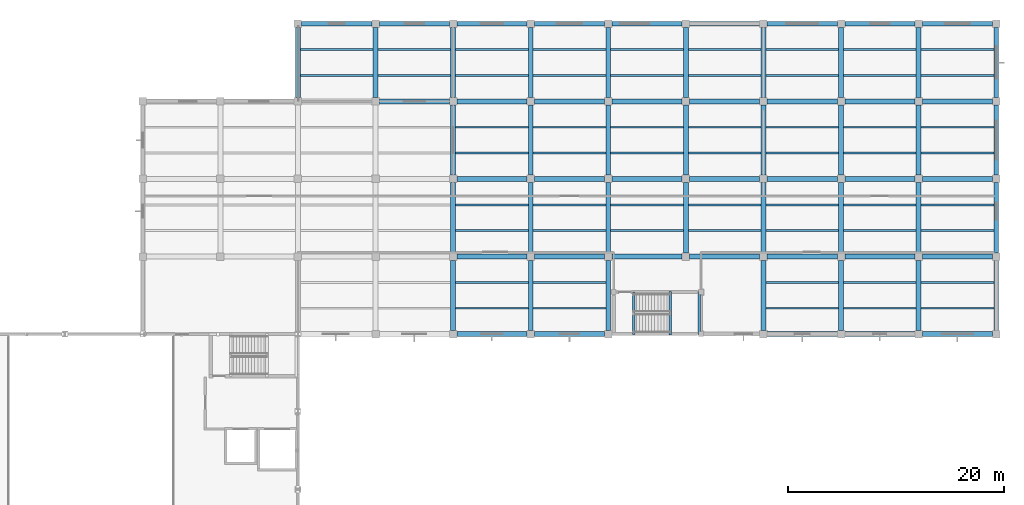
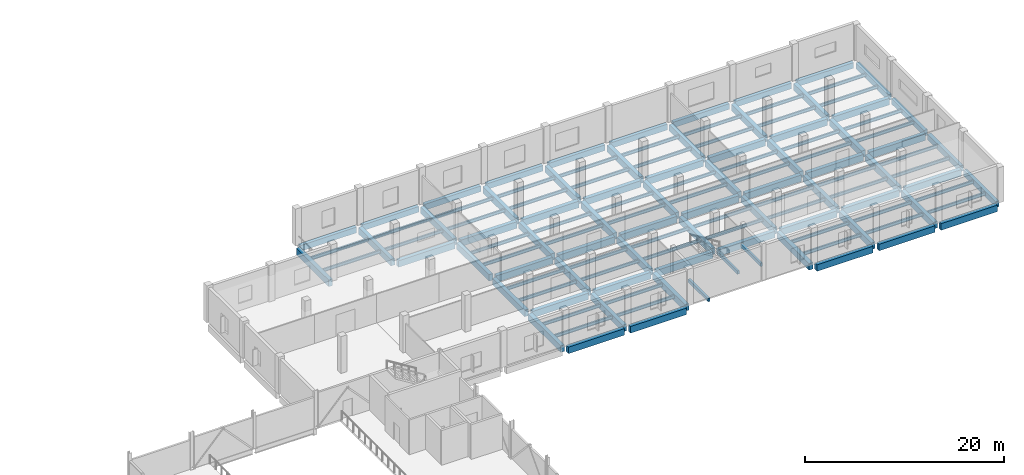
# One storey, part 46 of 108: 128 beams.
"""IFC4 building model written with IfcOpenShell, lengths in metres."""

from ifc_helpers import new_model, si_unit, direction, frame, origin, origin_2d, place, context, subcontext, project, spatial, rectangle, i_section, extrude, material, material_profile, profile_set, type_object, element, save


model = new_model("IFC4")

# Units and contexts
model_context = context("Model", 3, precision=1e-05, world=origin(), true_north=direction((0.0, 1.0)))
body_context = subcontext(model_context, "Body", "Model", "MODEL_VIEW")
ifc_project = project(units=[si_unit("LENGTHUNIT", "METRE"), si_unit("AREAUNIT", "SQUARE_METRE"), si_unit("VOLUMEUNIT", "CUBIC_METRE"), si_unit("PLANEANGLEUNIT", "RADIAN"), si_unit("MASSUNIT", "GRAM", prefix="KILO"), si_unit("THERMODYNAMICTEMPERATUREUNIT", "KELVIN"), si_unit("POWERUNIT", "WATT")], contexts=[model_context])

# Site, building, storey
site_placement = place(None, origin())
site = spatial("IfcSite", under=ifc_project, at=site_placement, CompositionType="ELEMENT")
building_placement = place(site_placement, origin())
building = spatial("IfcBuilding", under=site, at=building_placement, Name="Kaldorven Railside Theatre", CompositionType="ELEMENT")
storey_placement = place(building_placement, frame((0.0, 0.0, 5.39990234375)))
storey = spatial("IfcBuildingStorey", under=building, at=storey_placement, Name="L01", CompositionType="ELEMENT", Elevation=5.39990234375)

# Beams
ifc_material_1 = material(Name="Steel S355", Category="steel")
ifc_material_profile_1 = material_profile(ifc_material_1, i_section(OverallWidth=0.179931640625, OverallDepth=0.39990234375, WebThickness=0.008544921875, FlangeThickness=0.013427734375, at=origin_2d()), Name="IPE 400")
ifc_profile_set_1 = profile_set([ifc_material_profile_1], Name="Steel S355")
beam_type_1 = type_object("IfcBeamType", Name="BM-IPE400", PredefinedType="JOIST", material=ifc_profile_set_1)
for number, where, z_axis, x_axis, name in (
    (1, (137.824951171875, 115.199951171875, -0.47998046875), (1.0, 0.0, 0.0), (0.0, 1.0, 0.0), "L01 Secondary Floor Joist JG-L01-137-1152"),
    (2, (137.824951171875, 117.60009765625, -0.47998046875), (1.0, 0.0, 0.0), (0.0, 1.0, 0.0), "L01 Secondary Floor Joist JG-L01-137-1176"),
    (3, (145.02490234375, 115.199951171875, -0.47998046875), (1.0, 0.0, 0.0), (0.0, 1.0, 0.0), "L01 Secondary Floor Joist JG-L01-144-1152"),
    (4, (145.02490234375, 117.60009765625, -0.47998046875), (1.0, 0.0, 0.0), (0.0, 1.0, 0.0), "L01 Secondary Floor Joist JG-L01-144-1176"),
    (5, (166.625, 115.199951171875, -0.47998046875), (1.0, 0.0, 0.0), (0.0, 1.0, 0.0), "L01 Secondary Floor Joist JG-L01-166-1152"),
    (6, (166.625, 117.60009765625, -0.47998046875), (1.0, 0.0, 0.0), (0.0, 1.0, 0.0), "L01 Secondary Floor Joist JG-L01-166-1176"),
    (7, (173.824951171875, 115.199951171875, -0.47998046875), (1.0, 0.0, 0.0), (0.0, 1.0, 0.0), "L01 Secondary Floor Joist JG-L01-173-1152"),
    (8, (173.824951171875, 117.60009765625, -0.47998046875), (1.0, 0.0, 0.0), (0.0, 1.0, 0.0), "L01 Secondary Floor Joist JG-L01-173-1176"),
):
    element("IfcBeam", number, at=place(storey_placement, frame(where, z_axis=z_axis, x_axis=x_axis)), inside=storey, type_object=beam_type_1, Name=name, PredefinedType="JOIST", context=body_context, shape_type="SweptSolid", body=[
        extrude(i_section(OverallWidth=0.179931640625, OverallDepth=0.39990234375, WebThickness=0.008544921875, FlangeThickness=0.013427734375, at=origin_2d()), origin(), (0.0, 0.0, 1.0), 6.75),
    ])
for number, where, z_axis, x_axis, name in (
    (9, (181.02490234375, 115.199951171875, -0.47998046875), (1.0, 0.0, 0.0), (0.0, 1.0, 0.0), "L01 Secondary Floor Joist JG-L01-180-1152"),
    (10, (181.02490234375, 117.60009765625, -0.47998046875), (1.0, 0.0, 0.0), (0.0, 1.0, 0.0), "L01 Secondary Floor Joist JG-L01-180-1176"),
):
    element("IfcBeam", number, at=place(storey_placement, frame(where, z_axis=z_axis, x_axis=x_axis)), inside=storey, type_object=beam_type_1, Name=name, PredefinedType="JOIST", context=body_context, shape_type="SweptSolid", body=[
        extrude(i_section(OverallWidth=0.179931640625, OverallDepth=0.39990234375, WebThickness=0.008544921875, FlangeThickness=0.013427734375, at=origin_2d()), origin(), (0.0, 0.0, 1.0), 6.775146484375),
    ])
for number, where, z_axis, x_axis, name in (
    (11, (137.824951171875, 122.39990234375, -0.47998046875), (1.0, 0.0, 0.0), (0.0, 1.0, 0.0), "L01 Secondary Floor Joist JG-L01-137-1224"),
    (12, (137.824951171875, 124.800048828125, -0.47998046875), (1.0, 0.0, 0.0), (0.0, 1.0, 0.0), "L01 Secondary Floor Joist JG-L01-137-1248"),
    (13, (145.02490234375, 122.39990234375, -0.47998046875), (1.0, 0.0, 0.0), (0.0, 1.0, 0.0), "L01 Secondary Floor Joist JG-L01-144-1224"),
    (14, (145.02490234375, 124.800048828125, -0.47998046875), (1.0, 0.0, 0.0), (0.0, 1.0, 0.0), "L01 Secondary Floor Joist JG-L01-144-1248"),
    (15, (152.22509765625, 122.39990234375, -0.47998046875), (1.0, 0.0, 0.0), (0.0, 1.0, 0.0), "L01 Secondary Floor Joist JG-L01-152-1224"),
    (16, (152.22509765625, 124.800048828125, -0.47998046875), (1.0, 0.0, 0.0), (0.0, 1.0, 0.0), "L01 Secondary Floor Joist JG-L01-152-1248"),
    (17, (159.425048828125, 122.39990234375, -0.47998046875), (1.0, 0.0, 0.0), (0.0, 1.0, 0.0), "L01 Secondary Floor Joist JG-L01-159-1224"),
    (18, (159.425048828125, 124.800048828125, -0.47998046875), (1.0, 0.0, 0.0), (0.0, 1.0, 0.0), "L01 Secondary Floor Joist JG-L01-159-1248"),
    (19, (166.625, 122.39990234375, -0.47998046875), (1.0, 0.0, 0.0), (0.0, 1.0, 0.0), "L01 Secondary Floor Joist JG-L01-166-1224"),
    (20, (166.625, 124.800048828125, -0.47998046875), (1.0, 0.0, 0.0), (0.0, 1.0, 0.0), "L01 Secondary Floor Joist JG-L01-166-1248"),
    (21, (173.824951171875, 122.39990234375, -0.47998046875), (1.0, 0.0, 0.0), (0.0, 1.0, 0.0), "L01 Secondary Floor Joist JG-L01-173-1224"),
    (22, (173.824951171875, 124.800048828125, -0.47998046875), (1.0, 0.0, 0.0), (0.0, 1.0, 0.0), "L01 Secondary Floor Joist JG-L01-173-1248"),
):
    element("IfcBeam", number, at=place(storey_placement, frame(where, z_axis=z_axis, x_axis=x_axis)), inside=storey, type_object=beam_type_1, Name=name, PredefinedType="JOIST", context=body_context, shape_type="SweptSolid", body=[
        extrude(i_section(OverallWidth=0.179931640625, OverallDepth=0.39990234375, WebThickness=0.008544921875, FlangeThickness=0.013427734375, at=origin_2d()), origin(), (0.0, 0.0, 1.0), 6.75),
    ])
for number, where, z_axis, x_axis, name in (
    (23, (181.02490234375, 122.39990234375, -0.47998046875), (1.0, 0.0, 0.0), (0.0, 1.0, 0.0), "L01 Secondary Floor Joist JG-L01-180-1224"),
    (24, (181.02490234375, 124.800048828125, -0.47998046875), (1.0, 0.0, 0.0), (0.0, 1.0, 0.0), "L01 Secondary Floor Joist JG-L01-180-1248"),
):
    element("IfcBeam", number, at=place(storey_placement, frame(where, z_axis=z_axis, x_axis=x_axis)), inside=storey, type_object=beam_type_1, Name=name, PredefinedType="JOIST", context=body_context, shape_type="SweptSolid", body=[
        extrude(i_section(OverallWidth=0.179931640625, OverallDepth=0.39990234375, WebThickness=0.008544921875, FlangeThickness=0.013427734375, at=origin_2d()), origin(), (0.0, 0.0, 1.0), 6.775146484375),
    ])
for number, where, z_axis, x_axis, name in (
    (25, (137.824951171875, 129.60009765625, -0.47998046875), (1.0, 0.0, 0.0), (0.0, 1.0, 0.0), "L01 Secondary Floor Joist JG-L01-137-1296"),
    (26, (137.824951171875, 132.0, -0.47998046875), (1.0, 0.0, 0.0), (0.0, 1.0, 0.0), "L01 Secondary Floor Joist JG-L01-137-1320"),
    (27, (145.02490234375, 129.60009765625, -0.47998046875), (1.0, 0.0, 0.0), (0.0, 1.0, 0.0), "L01 Secondary Floor Joist JG-L01-144-1296"),
    (28, (145.02490234375, 132.0, -0.47998046875), (1.0, 0.0, 0.0), (0.0, 1.0, 0.0), "L01 Secondary Floor Joist JG-L01-144-1320"),
    (29, (152.22509765625, 129.60009765625, -0.47998046875), (1.0, 0.0, 0.0), (0.0, 1.0, 0.0), "L01 Secondary Floor Joist JG-L01-152-1296"),
    (30, (152.22509765625, 132.0, -0.47998046875), (1.0, 0.0, 0.0), (0.0, 1.0, 0.0), "L01 Secondary Floor Joist JG-L01-152-1320"),
    (31, (159.425048828125, 129.60009765625, -0.47998046875), (1.0, 0.0, 0.0), (0.0, 1.0, 0.0), "L01 Secondary Floor Joist JG-L01-159-1296"),
    (32, (159.425048828125, 132.0, -0.47998046875), (1.0, 0.0, 0.0), (0.0, 1.0, 0.0), "L01 Secondary Floor Joist JG-L01-159-1320"),
    (33, (166.625, 129.60009765625, -0.47998046875), (1.0, 0.0, 0.0), (0.0, 1.0, 0.0), "L01 Secondary Floor Joist JG-L01-166-1296"),
    (34, (166.625, 132.0, -0.47998046875), (1.0, 0.0, 0.0), (0.0, 1.0, 0.0), "L01 Secondary Floor Joist JG-L01-166-1320"),
    (35, (173.824951171875, 129.60009765625, -0.47998046875), (1.0, 0.0, 0.0), (0.0, 1.0, 0.0), "L01 Secondary Floor Joist JG-L01-173-1296"),
    (36, (173.824951171875, 132.0, -0.47998046875), (1.0, 0.0, 0.0), (0.0, 1.0, 0.0), "L01 Secondary Floor Joist JG-L01-173-1320"),
):
    element("IfcBeam", number, at=place(storey_placement, frame(where, z_axis=z_axis, x_axis=x_axis)), inside=storey, type_object=beam_type_1, Name=name, PredefinedType="JOIST", context=body_context, shape_type="SweptSolid", body=[
        extrude(i_section(OverallWidth=0.179931640625, OverallDepth=0.39990234375, WebThickness=0.008544921875, FlangeThickness=0.013427734375, at=origin_2d()), origin(), (0.0, 0.0, 1.0), 6.75),
    ])
for number, where, z_axis, x_axis, name in (
    (37, (181.02490234375, 129.60009765625, -0.47998046875), (1.0, 0.0, 0.0), (0.0, 1.0, 0.0), "L01 Secondary Floor Joist JG-L01-180-1296"),
    (38, (181.02490234375, 132.0, -0.47998046875), (1.0, 0.0, 0.0), (0.0, 1.0, 0.0), "L01 Secondary Floor Joist JG-L01-180-1320"),
):
    element("IfcBeam", number, at=place(storey_placement, frame(where, z_axis=z_axis, x_axis=x_axis)), inside=storey, type_object=beam_type_1, Name=name, PredefinedType="JOIST", context=body_context, shape_type="SweptSolid", body=[
        extrude(i_section(OverallWidth=0.179931640625, OverallDepth=0.39990234375, WebThickness=0.008544921875, FlangeThickness=0.013427734375, at=origin_2d()), origin(), (0.0, 0.0, 1.0), 6.775146484375),
    ])
for number, where, z_axis, x_axis, name in (
    (39, (123.425048828125, 136.800048828125, -0.47998046875), (1.0, 0.0, 0.0), (0.0, 1.0, 0.0), "L01 Secondary Floor Joist JG-L01-123-1368"),
    (40, (123.425048828125, 139.199951171875, -0.47998046875), (1.0, 0.0, 0.0), (0.0, 1.0, 0.0), "L01 Secondary Floor Joist JG-L01-123-1392"),
    (41, (130.625, 136.800048828125, -0.47998046875), (1.0, 0.0, 0.0), (0.0, 1.0, 0.0), "L01 Secondary Floor Joist JG-L01-130-1368"),
    (42, (130.625, 139.199951171875, -0.47998046875), (1.0, 0.0, 0.0), (0.0, 1.0, 0.0), "L01 Secondary Floor Joist JG-L01-130-1392"),
    (43, (137.824951171875, 136.800048828125, -0.47998046875), (1.0, 0.0, 0.0), (0.0, 1.0, 0.0), "L01 Secondary Floor Joist JG-L01-137-1368"),
    (44, (137.824951171875, 139.199951171875, -0.47998046875), (1.0, 0.0, 0.0), (0.0, 1.0, 0.0), "L01 Secondary Floor Joist JG-L01-137-1392"),
    (45, (145.02490234375, 136.800048828125, -0.47998046875), (1.0, 0.0, 0.0), (0.0, 1.0, 0.0), "L01 Secondary Floor Joist JG-L01-144-1368"),
    (46, (145.02490234375, 139.199951171875, -0.47998046875), (1.0, 0.0, 0.0), (0.0, 1.0, 0.0), "L01 Secondary Floor Joist JG-L01-144-1392"),
    (47, (152.22509765625, 136.800048828125, -0.47998046875), (1.0, 0.0, 0.0), (0.0, 1.0, 0.0), "L01 Secondary Floor Joist JG-L01-152-1368"),
    (48, (152.22509765625, 139.199951171875, -0.47998046875), (1.0, 0.0, 0.0), (0.0, 1.0, 0.0), "L01 Secondary Floor Joist JG-L01-152-1392"),
    (49, (159.425048828125, 136.800048828125, -0.47998046875), (1.0, 0.0, 0.0), (0.0, 1.0, 0.0), "L01 Secondary Floor Joist JG-L01-159-1368"),
    (50, (159.425048828125, 139.199951171875, -0.47998046875), (1.0, 0.0, 0.0), (0.0, 1.0, 0.0), "L01 Secondary Floor Joist JG-L01-159-1392"),
    (51, (166.625, 136.800048828125, -0.47998046875), (1.0, 0.0, 0.0), (0.0, 1.0, 0.0), "L01 Secondary Floor Joist JG-L01-166-1368"),
    (52, (166.625, 139.199951171875, -0.47998046875), (1.0, 0.0, 0.0), (0.0, 1.0, 0.0), "L01 Secondary Floor Joist JG-L01-166-1392"),
    (53, (173.824951171875, 136.800048828125, -0.47998046875), (1.0, 0.0, 0.0), (0.0, 1.0, 0.0), "L01 Secondary Floor Joist JG-L01-173-1368"),
    (54, (173.824951171875, 139.199951171875, -0.47998046875), (1.0, 0.0, 0.0), (0.0, 1.0, 0.0), "L01 Secondary Floor Joist JG-L01-173-1392"),
):
    element("IfcBeam", number, at=place(storey_placement, frame(where, z_axis=z_axis, x_axis=x_axis)), inside=storey, type_object=beam_type_1, Name=name, PredefinedType="JOIST", context=body_context, shape_type="SweptSolid", body=[
        extrude(i_section(OverallWidth=0.179931640625, OverallDepth=0.39990234375, WebThickness=0.008544921875, FlangeThickness=0.013427734375, at=origin_2d()), origin(), (0.0, 0.0, 1.0), 6.75),
    ])
for number, where, z_axis, x_axis, name in (
    (55, (181.02490234375, 136.800048828125, -0.47998046875), (1.0, 0.0, 0.0), (0.0, 1.0, 0.0), "L01 Secondary Floor Joist JG-L01-180-1368"),
    (56, (181.02490234375, 139.199951171875, -0.47998046875), (1.0, 0.0, 0.0), (0.0, 1.0, 0.0), "L01 Secondary Floor Joist JG-L01-180-1392"),
):
    element("IfcBeam", number, at=place(storey_placement, frame(where, z_axis=z_axis, x_axis=x_axis)), inside=storey, type_object=beam_type_1, Name=name, PredefinedType="JOIST", context=body_context, shape_type="SweptSolid", body=[
        extrude(i_section(OverallWidth=0.179931640625, OverallDepth=0.39990234375, WebThickness=0.008544921875, FlangeThickness=0.013427734375, at=origin_2d()), origin(), (0.0, 0.0, 1.0), 6.775146484375),
    ])
ifc_material_2 = material(Name="Concrete C40/50", Category="concrete")
ifc_material_profile_2 = material_profile(ifc_material_2, rectangle(XDim=0.25, YDim=0.39990234375, at=origin_2d()), Name="RC 250x400")
ifc_profile_set_2 = profile_set([ifc_material_profile_2], Name="Concrete C40/50")
beam_type_2 = type_object("IfcBeamType", Name="BM-RC250x400", PredefinedType="LINTEL", material=ifc_profile_set_2)
beam_placement = place(storey_placement, frame((154.35009765625, 112.77001953125, -0.344970703125), z_axis=(0.0, 1.0, 0.0), x_axis=(-1.0, 0.0, 0.0)))
element("IfcBeam", 57, at=beam_placement, inside=storey, type_object=beam_type_2, Name="Stair ST-08 L01 Landing Trimmer Beam", PredefinedType="LINTEL", context=body_context, shape_type="SweptSolid", body=[
    extrude(rectangle(XDim=0.25, YDim=0.39990234375, at=origin_2d()), origin(), (0.0, 0.0, 1.0), 3.9599609375),
])
for number, where, z_axis, x_axis, name in (
    (58, (157.735107421875, 112.739990234375, 1.85009765625), (0.0, 1.0, 0.0), (-1.0, 0.0, 0.0), "Stair ST-08 L01 Half-Landing Bearer"),
    (59, (160.429931640625, 112.739990234375, 1.85009765625), (0.0, 1.0, 0.0), (-1.0, 0.0, 0.0), "Stair ST-08 L01 Half-Landing Bearer"),
):
    element("IfcBeam", number, at=place(storey_placement, frame(where, z_axis=z_axis, x_axis=x_axis)), inside=storey, type_object=beam_type_2, Name=name, PredefinedType="LINTEL", context=body_context, shape_type="SweptSolid", body=[
        extrude(rectangle(XDim=0.25, YDim=0.39990234375, at=origin_2d()), origin(), (0.0, 0.0, 1.0), 4.02001953125),
    ])
ifc_material_profile_3 = material_profile(ifc_material_2, rectangle(XDim=0.39990234375, YDim=0.699951171875, at=origin_2d()), Name="RC 400x700")
ifc_profile_set_3 = profile_set([ifc_material_profile_3], Name="Concrete C40/50")
beam_type_3 = type_object("IfcBeamType", Name="BM-RC400x700", PredefinedType="BEAM", material=ifc_profile_set_3)
for number, where, z_axis, x_axis, name in (
    (60, (188.0, 113.14990234375, -0.6298828125), (0.0, 1.0, 0.0), (-1.0, 0.0, 0.0), "L01 Girder BGY-L01-188-112-72"),
    (61, (188.0, 120.35009765625, -0.6298828125), (0.0, 1.0, 0.0), (-1.0, 0.0, 0.0), "L01 Girder BGY-L01-188-120-72"),
    (62, (188.0, 127.550048828125, -0.6298828125), (0.0, 1.0, 0.0), (-1.0, 0.0, 0.0), "L01 Girder BGY-L01-188-127-72"),
    (63, (188.0, 134.75, -0.6298828125), (0.0, 1.0, 0.0), (-1.0, 0.0, 0.0), "L01 Girder BGY-L01-188-134-72"),
    (64, (123.550048828125, 141.60009765625, -0.6298828125), (1.0, 0.0, 0.0), (0.0, 1.0, 0.0), "L01 Girder BGX-L01-123-141"),
    (65, (130.75, 141.60009765625, -0.6298828125), (1.0, 0.0, 0.0), (0.0, 1.0, 0.0), "L01 Girder BGX-L01-130-141"),
    (66, (137.949951171875, 141.60009765625, -0.6298828125), (1.0, 0.0, 0.0), (0.0, 1.0, 0.0), "L01 Girder BGX-L01-137-141"),
    (67, (145.14990234375, 141.60009765625, -0.6298828125), (1.0, 0.0, 0.0), (0.0, 1.0, 0.0), "L01 Girder BGX-L01-144-141"),
    (68, (152.35009765625, 141.60009765625, -0.6298828125), (1.0, 0.0, 0.0), (0.0, 1.0, 0.0), "L01 Girder BGX-L01-152-141"),
    (69, (159.550048828125, 141.60009765625, -0.6298828125), (1.0, 0.0, 0.0), (0.0, 1.0, 0.0), "L01 Girder BGX-L01-159-141"),
    (70, (166.75, 141.60009765625, -0.6298828125), (1.0, 0.0, 0.0), (0.0, 1.0, 0.0), "L01 Girder BGX-L01-166-141"),
    (71, (173.949951171875, 141.60009765625, -0.6298828125), (1.0, 0.0, 0.0), (0.0, 1.0, 0.0), "L01 Girder BGX-L01-173-141"),
    (72, (181.14990234375, 141.60009765625, -0.6298828125), (1.0, 0.0, 0.0), (0.0, 1.0, 0.0), "L01 Girder BGX-L01-180-141"),
):
    element("IfcBeam", number, at=place(storey_placement, frame(where, z_axis=z_axis, x_axis=x_axis)), inside=storey, type_object=beam_type_3, Name=name, PredefinedType="BEAM", context=body_context, shape_type="SweptSolid", body=[
        extrude(rectangle(XDim=0.39990234375, YDim=0.699951171875, at=origin_2d()), origin(), (0.0, 0.0, 1.0), 6.5),
    ])
ifc_material_profile_4 = material_profile(ifc_material_2, rectangle(XDim=0.449951171875, YDim=0.800048828125, at=origin_2d()), Name="RC 450x800")
ifc_profile_set_4 = profile_set([ifc_material_profile_4], Name="Concrete C40/50")
beam_type_4 = type_object("IfcBeamType", Name="BM-RC450x800", PredefinedType="BEAM", material=ifc_profile_set_4)
for number, where, z_axis, x_axis, name in (
    (73, (137.949951171875, 112.800048828125, -0.679931640625), (1.0, 0.0, 0.0), (0.0, 1.0, 0.0), "L01 Girder BGX-L01-137-112"),
    (74, (137.60009765625, 113.14990234375, -0.679931640625), (0.0, 1.0, 0.0), (-1.0, 0.0, 0.0), "L01 Girder BGY-L01-137-112-72"),
    (75, (145.14990234375, 112.800048828125, -0.679931640625), (1.0, 0.0, 0.0), (0.0, 1.0, 0.0), "L01 Girder BGX-L01-144-112"),
    (76, (144.800048828125, 113.14990234375, -0.679931640625), (0.0, 1.0, 0.0), (-1.0, 0.0, 0.0), "L01 Girder BGY-L01-144-112-72"),
    (77, (152.0, 113.14990234375, -0.679931640625), (0.0, 1.0, 0.0), (-1.0, 0.0, 0.0), "L01 Girder BGY-L01-152-112-72"),
    (78, (166.75, 112.800048828125, -0.679931640625), (1.0, 0.0, 0.0), (0.0, 1.0, 0.0), "L01 Girder BGX-L01-166-112"),
    (79, (166.39990234375, 113.14990234375, -0.679931640625), (0.0, 1.0, 0.0), (-1.0, 0.0, 0.0), "L01 Girder BGY-L01-166-112-72"),
    (80, (173.949951171875, 112.800048828125, -0.679931640625), (1.0, 0.0, 0.0), (0.0, 1.0, 0.0), "L01 Girder BGX-L01-173-112"),
    (81, (173.60009765625, 113.14990234375, -0.679931640625), (0.0, 1.0, 0.0), (-1.0, 0.0, 0.0), "L01 Girder BGY-L01-173-112-72"),
    (82, (181.14990234375, 112.800048828125, -0.679931640625), (1.0, 0.0, 0.0), (0.0, 1.0, 0.0), "L01 Girder BGX-L01-180-112"),
    (83, (180.800048828125, 113.14990234375, -0.679931640625), (0.0, 1.0, 0.0), (-1.0, 0.0, 0.0), "L01 Girder BGY-L01-180-112-72"),
    (84, (137.949951171875, 120.0, -0.679931640625), (1.0, 0.0, 0.0), (0.0, 1.0, 0.0), "L01 Girder BGX-L01-137-120"),
    (85, (137.60009765625, 120.35009765625, -0.679931640625), (0.0, 1.0, 0.0), (-1.0, 0.0, 0.0), "L01 Girder BGY-L01-137-120-72"),
    (86, (145.14990234375, 120.0, -0.679931640625), (1.0, 0.0, 0.0), (0.0, 1.0, 0.0), "L01 Girder BGX-L01-144-120"),
    (87, (144.800048828125, 120.35009765625, -0.679931640625), (0.0, 1.0, 0.0), (-1.0, 0.0, 0.0), "L01 Girder BGY-L01-144-120-72"),
    (88, (152.35009765625, 120.0, -0.679931640625), (1.0, 0.0, 0.0), (0.0, 1.0, 0.0), "L01 Girder BGX-L01-152-120"),
    (89, (152.0, 120.35009765625, -0.679931640625), (0.0, 1.0, 0.0), (-1.0, 0.0, 0.0), "L01 Girder BGY-L01-152-120-72"),
    (90, (159.550048828125, 120.0, -0.679931640625), (1.0, 0.0, 0.0), (0.0, 1.0, 0.0), "L01 Girder BGX-L01-159-120"),
    (91, (159.199951171875, 120.35009765625, -0.679931640625), (0.0, 1.0, 0.0), (-1.0, 0.0, 0.0), "L01 Girder BGY-L01-159-120-72"),
    (92, (166.75, 120.0, -0.679931640625), (1.0, 0.0, 0.0), (0.0, 1.0, 0.0), "L01 Girder BGX-L01-166-120"),
    (93, (166.39990234375, 120.35009765625, -0.679931640625), (0.0, 1.0, 0.0), (-1.0, 0.0, 0.0), "L01 Girder BGY-L01-166-120-72"),
    (94, (173.949951171875, 120.0, -0.679931640625), (1.0, 0.0, 0.0), (0.0, 1.0, 0.0), "L01 Girder BGX-L01-173-120"),
    (95, (173.60009765625, 120.35009765625, -0.679931640625), (0.0, 1.0, 0.0), (-1.0, 0.0, 0.0), "L01 Girder BGY-L01-173-120-72"),
    (96, (181.14990234375, 120.0, -0.679931640625), (1.0, 0.0, 0.0), (0.0, 1.0, 0.0), "L01 Girder BGX-L01-180-120"),
    (97, (180.800048828125, 120.35009765625, -0.679931640625), (0.0, 1.0, 0.0), (-1.0, 0.0, 0.0), "L01 Girder BGY-L01-180-120-72"),
    (98, (137.949951171875, 127.199951171875, -0.679931640625), (1.0, 0.0, 0.0), (0.0, 1.0, 0.0), "L01 Girder BGX-L01-137-127"),
    (99, (137.60009765625, 127.550048828125, -0.679931640625), (0.0, 1.0, 0.0), (-1.0, 0.0, 0.0), "L01 Girder BGY-L01-137-127-72"),
    (100, (145.14990234375, 127.199951171875, -0.679931640625), (1.0, 0.0, 0.0), (0.0, 1.0, 0.0), "L01 Girder BGX-L01-144-127"),
    (101, (144.800048828125, 127.550048828125, -0.679931640625), (0.0, 1.0, 0.0), (-1.0, 0.0, 0.0), "L01 Girder BGY-L01-144-127-72"),
    (102, (152.35009765625, 127.199951171875, -0.679931640625), (1.0, 0.0, 0.0), (0.0, 1.0, 0.0), "L01 Girder BGX-L01-152-127"),
    (103, (152.0, 127.550048828125, -0.679931640625), (0.0, 1.0, 0.0), (-1.0, 0.0, 0.0), "L01 Girder BGY-L01-152-127-72"),
    (104, (159.550048828125, 127.199951171875, -0.679931640625), (1.0, 0.0, 0.0), (0.0, 1.0, 0.0), "L01 Girder BGX-L01-159-127"),
    (105, (159.199951171875, 127.550048828125, -0.679931640625), (0.0, 1.0, 0.0), (-1.0, 0.0, 0.0), "L01 Girder BGY-L01-159-127-72"),
    (106, (166.75, 127.199951171875, -0.679931640625), (1.0, 0.0, 0.0), (0.0, 1.0, 0.0), "L01 Girder BGX-L01-166-127"),
    (107, (166.39990234375, 127.550048828125, -0.679931640625), (0.0, 1.0, 0.0), (-1.0, 0.0, 0.0), "L01 Girder BGY-L01-166-127-72"),
    (108, (173.949951171875, 127.199951171875, -0.679931640625), (1.0, 0.0, 0.0), (0.0, 1.0, 0.0), "L01 Girder BGX-L01-173-127"),
    (109, (173.60009765625, 127.550048828125, -0.679931640625), (0.0, 1.0, 0.0), (-1.0, 0.0, 0.0), "L01 Girder BGY-L01-173-127-72"),
    (110, (181.14990234375, 127.199951171875, -0.679931640625), (1.0, 0.0, 0.0), (0.0, 1.0, 0.0), "L01 Girder BGX-L01-180-127"),
    (111, (180.800048828125, 127.550048828125, -0.679931640625), (0.0, 1.0, 0.0), (-1.0, 0.0, 0.0), "L01 Girder BGY-L01-180-127-72"),
    (112, (123.199951171875, 134.75, -0.679931640625), (0.0, 1.0, 0.0), (-1.0, 0.0, 0.0), "L01 Girder BGY-L01-123-134-72"),
    (113, (130.75, 134.39990234375, -0.679931640625), (1.0, 0.0, 0.0), (0.0, 1.0, 0.0), "L01 Girder BGX-L01-130-134"),
    (114, (130.39990234375, 134.75, -0.679931640625), (0.0, 1.0, 0.0), (-1.0, 0.0, 0.0), "L01 Girder BGY-L01-130-134-72"),
    (115, (137.949951171875, 134.39990234375, -0.679931640625), (1.0, 0.0, 0.0), (0.0, 1.0, 0.0), "L01 Girder BGX-L01-137-134"),
    (116, (137.60009765625, 134.75, -0.679931640625), (0.0, 1.0, 0.0), (-1.0, 0.0, 0.0), "L01 Girder BGY-L01-137-134-72"),
    (117, (145.14990234375, 134.39990234375, -0.679931640625), (1.0, 0.0, 0.0), (0.0, 1.0, 0.0), "L01 Girder BGX-L01-144-134"),
    (118, (144.800048828125, 134.75, -0.679931640625), (0.0, 1.0, 0.0), (-1.0, 0.0, 0.0), "L01 Girder BGY-L01-144-134-72"),
    (119, (152.35009765625, 134.39990234375, -0.679931640625), (1.0, 0.0, 0.0), (0.0, 1.0, 0.0), "L01 Girder BGX-L01-152-134"),
    (120, (152.0, 134.75, -0.679931640625), (0.0, 1.0, 0.0), (-1.0, 0.0, 0.0), "L01 Girder BGY-L01-152-134-72"),
    (121, (159.550048828125, 134.39990234375, -0.679931640625), (1.0, 0.0, 0.0), (0.0, 1.0, 0.0), "L01 Girder BGX-L01-159-134"),
    (122, (159.199951171875, 134.75, -0.679931640625), (0.0, 1.0, 0.0), (-1.0, 0.0, 0.0), "L01 Girder BGY-L01-159-134-72"),
    (123, (166.75, 134.39990234375, -0.679931640625), (1.0, 0.0, 0.0), (0.0, 1.0, 0.0), "L01 Girder BGX-L01-166-134"),
    (124, (166.39990234375, 134.75, -0.679931640625), (0.0, 1.0, 0.0), (-1.0, 0.0, 0.0), "L01 Girder BGY-L01-166-134-72"),
    (125, (173.949951171875, 134.39990234375, -0.679931640625), (1.0, 0.0, 0.0), (0.0, 1.0, 0.0), "L01 Girder BGX-L01-173-134"),
    (126, (173.60009765625, 134.75, -0.679931640625), (0.0, 1.0, 0.0), (-1.0, 0.0, 0.0), "L01 Girder BGY-L01-173-134-72"),
    (127, (181.14990234375, 134.39990234375, -0.679931640625), (1.0, 0.0, 0.0), (0.0, 1.0, 0.0), "L01 Girder BGX-L01-180-134"),
    (128, (180.800048828125, 134.75, -0.679931640625), (0.0, 1.0, 0.0), (-1.0, 0.0, 0.0), "L01 Girder BGY-L01-180-134-72"),
):
    element("IfcBeam", number, at=place(storey_placement, frame(where, z_axis=z_axis, x_axis=x_axis)), inside=storey, type_object=beam_type_4, Name=name, PredefinedType="BEAM", context=body_context, shape_type="SweptSolid", body=[
        extrude(rectangle(XDim=0.449951171875, YDim=0.800048828125, at=origin_2d()), origin(), (0.0, 0.0, 1.0), 6.5),
    ])

save(model, "model.ifc")
